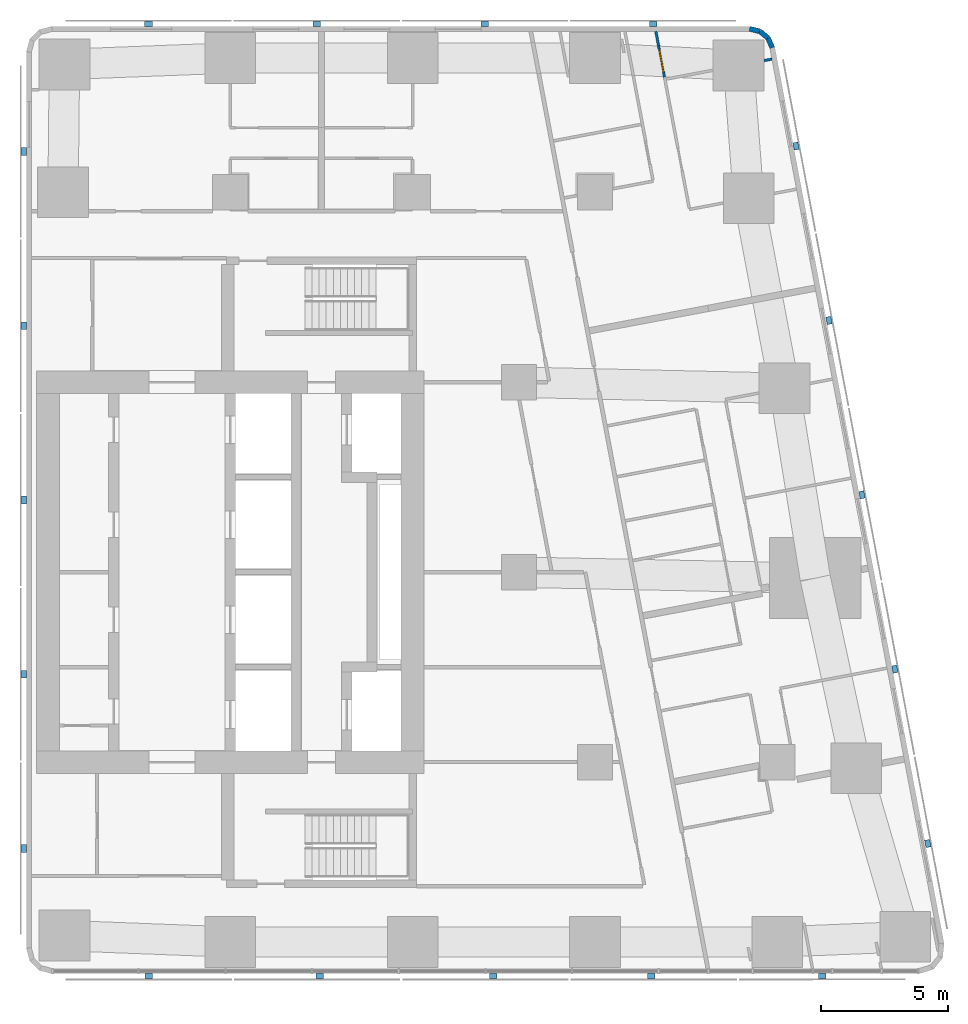
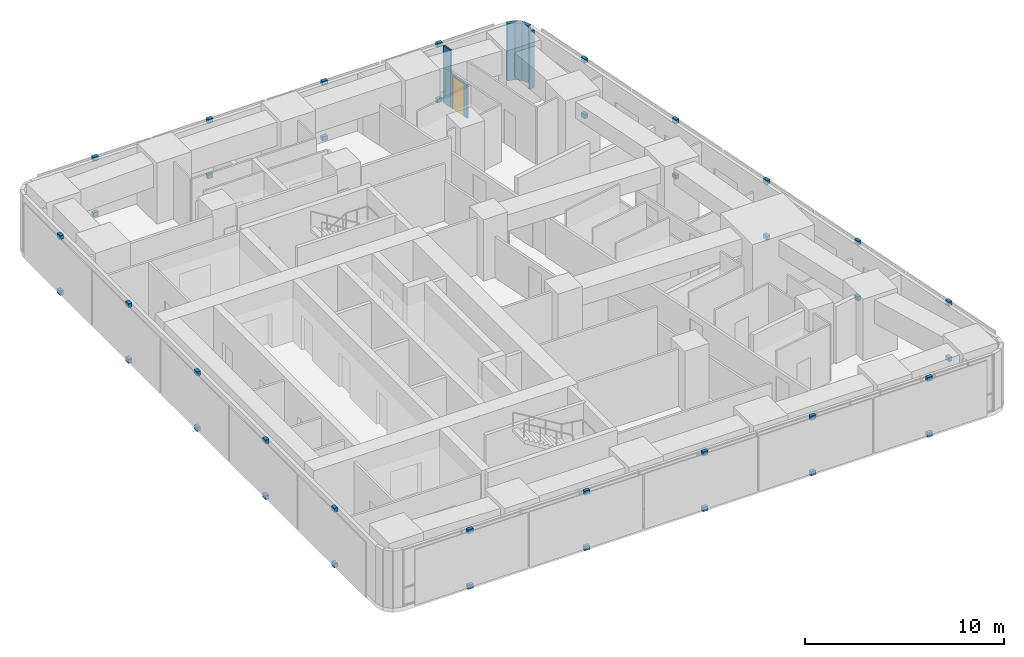
# One storey, part 9 of 11: 38 discrete accessories, 6 walls, 1 door, 1 opening.
"""IFC4 building model written with IfcOpenShell, lengths in metres."""

from ifc_helpers import new_model, si_unit, direction, frame, frame_2d, origin, origin_2d, place, context, subcontext, project, spatial, rectangle, extrude, material, layer, layer_set, type_object, element, fill, save


model = new_model("IFC4")

# Units and contexts
model_context = context("Model", 3, precision=1e-05, world=origin(), true_north=direction((0.0, 1.0)))
body_context = subcontext(model_context, "Body", "Model", "MODEL_VIEW")
ifc_project = project(units=[si_unit("LENGTHUNIT", "METRE"), si_unit("AREAUNIT", "SQUARE_METRE"), si_unit("VOLUMEUNIT", "CUBIC_METRE"), si_unit("PLANEANGLEUNIT", "RADIAN"), si_unit("MASSUNIT", "GRAM", prefix="KILO")], contexts=[model_context])

# Site, building, storey
site_placement = place(None, origin())
site = spatial("IfcSite", under=ifc_project, at=site_placement, CompositionType="ELEMENT")
building_placement = place(site_placement, origin())
building = spatial("IfcBuilding", under=site, at=building_placement, Name="Sheger Commons Tower", CompositionType="ELEMENT")
storey_placement = place(building_placement, frame((0.0, 0.0, 259.10009765625)))
storey = spatial("IfcBuildingStorey", under=building, at=storey_placement, Name="L66", CompositionType="ELEMENT", Elevation=259.10009765625)

# Walls
ifc_material_1 = material(Name="Rendered concrete block masonry, dark grey", Category="masonry")
ifc_layer_1 = layer(ifc_material_1, 0.199951171875)
ifc_layer_set_1 = layer_set([ifc_layer_1], Name="FACADE WALL 200")
wall_type_1 = type_object("IfcWallType", Name="FACADE WALL 200", PredefinedType="SOLIDWALL", material=ifc_layer_set_1)
wall_1_placement = place(storey_placement, frame((43.001953125, 43.2060546875, 0.0), z_axis=(0.0, 0.0, 1.0), x_axis=(-0.40678170573, 0.913525393124, 0.0)))
element("IfcWall", 1, at=wall_1_placement, inside=storey, type_object=wall_type_1, Name="Facade wall L66", PredefinedType="SOLIDWALL", context=body_context, shape_type="SweptSolid", body=[
    extrude(rectangle(XDim=0.422607421875, YDim=0.199951171875, at=frame_2d((0.21142578125, 0.0))), origin(), (0.0, 0.0, 1.0), 3.5),
])
wall_2_placement = place(storey_placement, frame((42.830078125, 43.592041015625, 0.0), z_axis=(0.0, 0.0, 1.0), x_axis=(-0.771190539797, 0.636604391539, 0.0)))
element("IfcWall", 2, at=wall_2_placement, inside=storey, type_object=wall_type_1, Name="Facade wall L66", PredefinedType="SOLIDWALL", context=body_context, shape_type="SweptSolid", body=[
    extrude(rectangle(XDim=0.409912109375, YDim=0.199951171875, at=frame_2d((0.205078125, 0.0))), origin(), (0.0, 0.0, 1.0), 3.5),
])
wall_3_placement = place(storey_placement, frame((42.513916015625, 43.85302734375, 0.0), z_axis=(0.0, 0.0, 1.0), x_axis=(-0.973288080424, 0.229587265555, 0.0)))
element("IfcWall", 3, at=wall_3_placement, inside=storey, type_object=wall_type_1, Name="Facade wall L66", PredefinedType="SOLIDWALL", context=body_context, shape_type="SweptSolid", body=[
    extrude(rectangle(XDim=0.422119140625, YDim=0.199951171875, at=frame_2d((0.2109375, 0.0))), origin(), (0.0, 0.0, 1.0), 3.5),
])
ifc_material_2 = material(Name="Gypsum board on steel studs", Category="steel")
ifc_layer_2 = layer(ifc_material_2, 0.10009765625)
ifc_layer_set_2 = layer_set([ifc_layer_2], Name="PARTITION 100")
wall_type_2 = type_object("IfcWallType", Name="PARTITION 100", PredefinedType="PARTITIONING", material=ifc_layer_set_2)
wall_4_placement = place(storey_placement, frame((38.403076171875, 43.85009765625, 0.0), z_axis=(0.0, 0.0, 1.0), x_axis=(0.184976954078, -0.982742858768, 0.0)))
element("IfcWall", 4, at=wall_4_placement, inside=storey, type_object=wall_type_2, Name="Partition L66", PredefinedType="PARTITIONING", context=body_context, shape_type="SweptSolid", body=[
    extrude(rectangle(XDim=0.578125, YDim=0.10009765625, at=frame_2d((0.2890625, 0.0))), origin(), (0.0, 0.0, 1.0), 3.5),
])

# Wall, opening, door
wall_5_placement = place(storey_placement, frame((38.510009765625, 43.281982421875, 0.0), z_axis=(0.0, 0.0, 1.0), x_axis=(0.185775287495, -0.982592256511, 0.0)))
wall_5 = element("IfcWall", 5, at=wall_5_placement, inside=storey, type_object=wall_type_2, Name="Partition L66", PredefinedType="PARTITIONING", context=body_context, shape_type="SweptSolid", body=[
    extrude(rectangle(XDim=1.259033203125, YDim=0.10009765625, at=frame_2d((0.62939453125, 0.0))), origin(), (0.0, 0.0, 1.0), 2.0498046875),
])
opening_placement = place(wall_5_placement, frame((0.14990234375, 0.0, 0.0)))
opening = element("IfcOpeningElement", 6, at=opening_placement, cuts=wall_5, Name="Opening D11", PredefinedType="OPENING", context=body_context, shape_type="SweptSolid", body=[
    extrude(rectangle(XDim=0.89990234375, YDim=2.0, at=frame_2d((0.449951171875, 1.0))), frame((0.0, 0.06005859375, 0.0), z_axis=(0.0, -1.0, 0.0), x_axis=(1.0, 0.0, 0.0)), (0.0, 0.0, 1.0), 0.1201171875),
])
ifc_material_3 = material(Name="Timber door set", Category="wood")
door_type = type_object("IfcDoorType", Name="INTERNAL DOOR 900x2000", OperationType="NOTDEFINED", PredefinedType="DOOR", material=ifc_material_3)
door_placement = place(opening_placement, origin())
door = element("IfcDoor", 7, at=door_placement, inside=storey, type_object=door_type, Name="Dressing room door", OperationType="SINGLE_SWING_LEFT", OverallHeight=2.0, OverallWidth=0.89990234375, PredefinedType="DOOR", context=body_context, shape_type="SweptSolid", body=[
    extrude(rectangle(XDim=0.89990234375, YDim=2.0, at=frame_2d((0.449951171875, 1.0))), frame((0.0, 0.02490234375, 0.0), z_axis=(0.0, -1.0, 0.0), x_axis=(1.0, 0.0, 0.0)), (0.0, 0.0, 1.0), 0.050048828125),
])
fill(opening, door)

# Wall
wall_6_placement = place(storey_placement, frame((42.985107421875, 42.7548828125, 0.0), z_axis=(0.0, 0.0, 1.0), x_axis=(-0.98281924824, -0.184570651215, 0.0)))
element("IfcWall", 8, at=wall_6_placement, inside=storey, type_object=wall_type_2, Name="Partition L66", PredefinedType="PARTITIONING", context=body_context, shape_type="SweptSolid", body=[
    extrude(rectangle(XDim=0.3134765625, YDim=0.10009765625, at=frame_2d((0.15673828125, 0.0))), origin(), (0.0, 0.0, 1.0), 3.5),
])

# Discrete accessories
ifc_material_4 = material(Name="Black painted steel bracket", Category="steel")
discrete_accessory_type = type_object("IfcDiscreteAccessoryType", Name="SCREEN BRACKET 300x200x250", PredefinedType="BRACKET", material=ifc_material_4)
for number, where, z_axis, x_axis, name in (
    (9, (18.375, 6.550048828125, -0.10009765625), (0.0, 0.0, 1.0), (1.0, 0.0, 0.0), "Solar screen foot bracket"),
    (10, (18.375, 6.550048828125, 3.2998046875), (0.0, 0.0, 1.0), (1.0, 0.0, 0.0), "Solar screen head bracket"),
    (11, (25.1259765625, 6.550048828125, -0.10009765625), (0.0, 0.0, 1.0), (1.0, 0.0, 0.0), "Solar screen foot bracket"),
    (12, (25.1259765625, 6.550048828125, 3.2998046875), (0.0, 0.0, 1.0), (1.0, 0.0, 0.0), "Solar screen head bracket"),
    (13, (31.97607421875, 6.550048828125, -0.10009765625), (0.0, 0.0, 1.0), (1.0, 0.0, 0.0), "Solar screen foot bracket"),
    (14, (31.97607421875, 6.550048828125, 3.2998046875), (0.0, 0.0, 1.0), (1.0, 0.0, 0.0), "Solar screen head bracket"),
    (15, (38.22607421875, 6.550048828125, -0.10009765625), (0.0, 0.0, 1.0), (1.0, 0.0, 0.0), "Solar screen foot bracket"),
    (16, (38.22607421875, 6.550048828125, 3.2998046875), (0.0, 0.0, 1.0), (1.0, 0.0, 0.0), "Solar screen head bracket"),
    (17, (44.97705078125, 6.550048828125, -0.10009765625), (0.0, 0.0, 1.0), (1.0, 0.0, 0.0), "Solar screen foot bracket"),
    (18, (44.97705078125, 6.550048828125, 3.2998046875), (0.0, 0.0, 1.0), (1.0, 0.0, 0.0), "Solar screen head bracket"),
    (19, (49.139892578125, 11.7880859375, -0.10009765625), (0.0, 0.0, 1.0), (-0.185615165645, 0.982622516678, 0.0), "Solar screen foot bracket"),
    (20, (49.139892578125, 11.7880859375, 3.2998046875), (0.0, 0.0, 1.0), (-0.185615165645, 0.982622516678, 0.0), "Solar screen head bracket"),
    (21, (47.840087890625, 18.6708984375, -0.10009765625), (0.0, 0.0, 1.0), (-0.185615165645, 0.982622516678, 0.0), "Solar screen foot bracket"),
    (22, (47.840087890625, 18.6708984375, 3.2998046875), (0.0, 0.0, 1.0), (-0.185615165645, 0.982622516678, 0.0), "Solar screen head bracket"),
    (23, (46.5400390625, 25.554931640625, -0.10009765625), (0.0, 0.0, 1.0), (-0.185615165645, 0.982622516678, 0.0), "Solar screen foot bracket"),
    (24, (46.5400390625, 25.554931640625, 3.2998046875), (0.0, 0.0, 1.0), (-0.185615165645, 0.982622516678, 0.0), "Solar screen head bracket"),
    (25, (45.239013671875, 32.43798828125, -0.10009765625), (0.0, 0.0, 1.0), (-0.185615165645, 0.982622516678, 0.0), "Solar screen foot bracket"),
    (26, (45.239013671875, 32.43798828125, 3.2998046875), (0.0, 0.0, 1.0), (-0.185615165645, 0.982622516678, 0.0), "Solar screen head bracket"),
    (27, (43.93896484375, 39.322021484375, -0.10009765625), (0.0, 0.0, 1.0), (-0.185615165645, 0.982622516678, 0.0), "Solar screen foot bracket"),
    (28, (43.93896484375, 39.322021484375, 3.2998046875), (0.0, 0.0, 1.0), (-0.185615165645, 0.982622516678, 0.0), "Solar screen head bracket"),
    (29, (38.2939453125, 44.14990234375, -0.10009765625), (0.0, 0.0, 1.0), (-1.0, 0.0, 0.0), "Solar screen foot bracket"),
    (30, (38.2939453125, 44.14990234375, 3.2998046875), (0.0, 0.0, 1.0), (-1.0, 0.0, 0.0), "Solar screen head bracket"),
    (31, (31.653076171875, 44.14990234375, -0.10009765625), (0.0, 0.0, 1.0), (-1.0, 0.0, 0.0), "Solar screen foot bracket"),
    (32, (31.653076171875, 44.14990234375, 3.2998046875), (0.0, 0.0, 1.0), (-1.0, 0.0, 0.0), "Solar screen head bracket"),
    (33, (25.011962890625, 44.14990234375, -0.10009765625), (0.0, 0.0, 1.0), (-1.0, 0.0, 0.0), "Solar screen foot bracket"),
    (34, (25.011962890625, 44.14990234375, 3.2998046875), (0.0, 0.0, 1.0), (-1.0, 0.0, 0.0), "Solar screen head bracket"),
    (35, (18.37109375, 44.14990234375, -0.10009765625), (0.0, 0.0, 1.0), (-1.0, 0.0, 0.0), "Solar screen foot bracket"),
    (36, (18.37109375, 44.14990234375, 3.2998046875), (0.0, 0.0, 1.0), (-1.0, 0.0, 0.0), "Solar screen head bracket"),
    (37, (13.449951171875, 39.110107421875, -0.10009765625), (0.0, 0.0, 1.0), (0.0, -1.0, 0.0), "Solar screen foot bracket"),
    (38, (13.449951171875, 39.110107421875, 3.2998046875), (0.0, 0.0, 1.0), (0.0, -1.0, 0.0), "Solar screen head bracket"),
    (39, (13.449951171875, 32.22998046875, -0.10009765625), (0.0, 0.0, 1.0), (0.0, -1.0, 0.0), "Solar screen foot bracket"),
    (40, (13.449951171875, 32.22998046875, 3.2998046875), (0.0, 0.0, 1.0), (0.0, -1.0, 0.0), "Solar screen head bracket"),
    (41, (13.449951171875, 25.35009765625, -0.10009765625), (0.0, 0.0, 1.0), (0.0, -1.0, 0.0), "Solar screen foot bracket"),
    (42, (13.449951171875, 25.35009765625, 3.2998046875), (0.0, 0.0, 1.0), (0.0, -1.0, 0.0), "Solar screen head bracket"),
    (43, (13.449951171875, 18.469970703125, -0.10009765625), (0.0, 0.0, 1.0), (0.0, -1.0, 0.0), "Solar screen foot bracket"),
    (44, (13.449951171875, 18.469970703125, 3.2998046875), (0.0, 0.0, 1.0), (0.0, -1.0, 0.0), "Solar screen head bracket"),
    (45, (13.449951171875, 11.590087890625, -0.10009765625), (0.0, 0.0, 1.0), (0.0, -1.0, 0.0), "Solar screen foot bracket"),
    (46, (13.449951171875, 11.590087890625, 3.2998046875), (0.0, 0.0, 1.0), (0.0, -1.0, 0.0), "Solar screen head bracket"),
):
    element("IfcDiscreteAccessory", number, at=place(storey_placement, frame(where, z_axis=z_axis, x_axis=x_axis)), inside=storey, type_object=discrete_accessory_type, Name=name, PredefinedType="BRACKET", context=body_context, shape_type="SweptSolid", body=[
        extrude(rectangle(XDim=0.300048828125, YDim=0.199951171875, at=origin_2d()), origin(), (0.0, 0.0, 1.0), 0.25),
    ])

save(model, "model.ifc")
